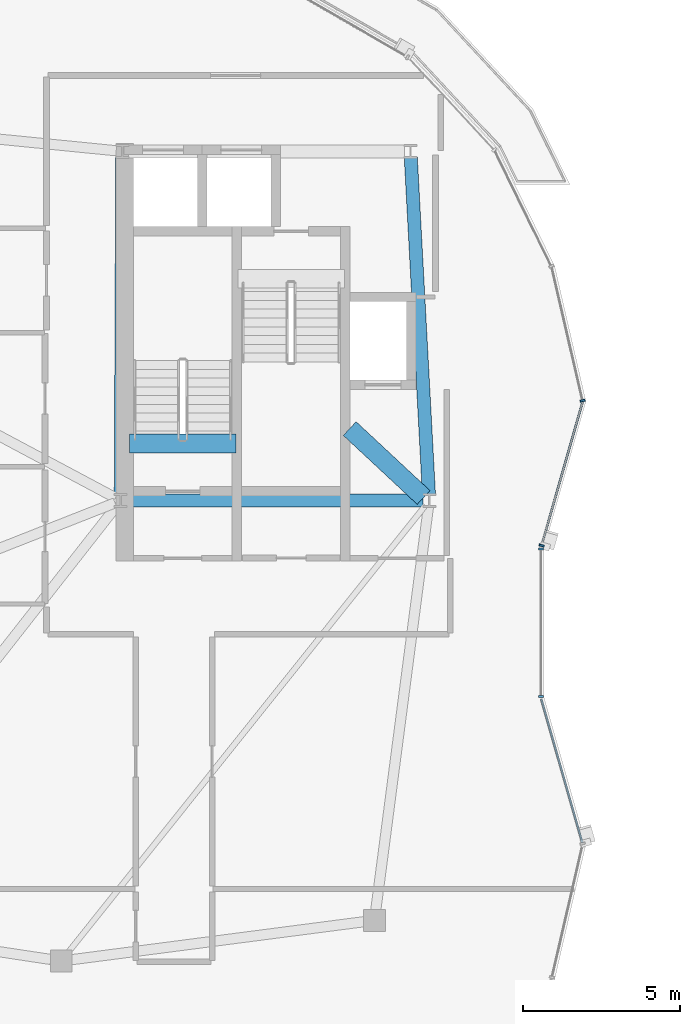
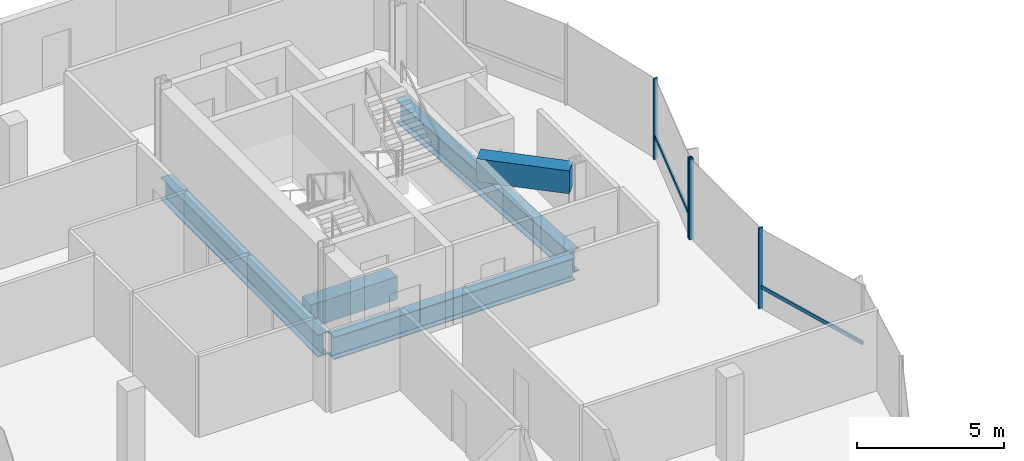
# One storey, part 4 of 20: 6 members, 5 beams, 2 elements without a shape of their own.
"""IFC4 building model written with IfcOpenShell, lengths in metres."""

from ifc_helpers import new_model, si_unit, direction, frame, origin, origin_2d, place, context, subcontext, project, spatial, rectangle, i_section, extrude, material, material_profile, profile_set, type_object, element, aggregate, save


model = new_model("IFC4")

# Units and contexts
model_context = context("Model", 3, precision=1e-05, world=origin(), true_north=direction((0.0, 1.0)))
body_context = subcontext(model_context, "Body", "Model", "MODEL_VIEW")
ifc_project = project(units=[si_unit("LENGTHUNIT", "METRE"), si_unit("AREAUNIT", "SQUARE_METRE"), si_unit("VOLUMEUNIT", "CUBIC_METRE"), si_unit("PLANEANGLEUNIT", "RADIAN"), si_unit("MASSUNIT", "GRAM", prefix="KILO"), si_unit("THERMODYNAMICTEMPERATUREUNIT", "KELVIN"), si_unit("POWERUNIT", "WATT")], contexts=[model_context])

# Site, building, storey
site_placement = place(None, origin())
site = spatial("IfcSite", under=ifc_project, at=site_placement, CompositionType="ELEMENT")
building_placement = place(site_placement, origin())
building = spatial("IfcBuilding", under=site, at=building_placement, Name="Cundina Bronze Exchange", CompositionType="ELEMENT")
storey_placement = place(building_placement, frame((0.0, 0.0, 279.199951171875)))
storey = spatial("IfcBuildingStorey", under=building, at=storey_placement, Name="L74", CompositionType="ELEMENT", Elevation=279.199951171875)

# Beams
ifc_material_1 = material(Name="Concrete C60/75", Category="concrete")
ifc_material_profile_1 = material_profile(ifc_material_1, rectangle(XDim=0.60009765625, YDim=0.949951171875, at=origin_2d()), Name="RC600X950", Category="concrete")
ifc_profile_set_1 = profile_set([ifc_material_profile_1], Name="Concrete C60/75")
beam_type_1 = type_object("IfcBeamType", Name="BM-COUP-RC950", PredefinedType="LINTEL", material=ifc_profile_set_1)
beam_1_placement = place(storey_placement, frame((-31.02001953125, 5.719970703125, -0.474853515625), z_axis=(1.0, 0.0, 0.0), x_axis=(0.0, 1.0, 0.0)))
element("IfcBeam", 1, at=beam_1_placement, inside=storey, type_object=beam_type_1, Name="L74 Stair W1 Landing Header Beam", PredefinedType="LINTEL", context=body_context, shape_type="SweptSolid", body=[
    extrude(rectangle(XDim=0.60009765625, YDim=0.949951171875, at=origin_2d()), origin(), (0.0, 0.0, 1.0), 3.39990234375),
])
beam_2_placement = place(storey_placement, frame((-23.989990234375, 6.199951171875, 2.864990234375), z_axis=(0.731490439815, -0.681851696822, 0.0), x_axis=(0.681851696822, 0.731490439815, 0.0)))
element("IfcBeam", 2, at=beam_2_placement, inside=storey, type_object=beam_type_1, Name="L74 W Core Shear Coupling Lintel Beam", PredefinedType="LINTEL", context=body_context, shape_type="SweptSolid", body=[
    extrude(rectangle(XDim=0.60009765625, YDim=0.949951171875, at=origin_2d()), origin(), (0.0, 0.0, 1.0), 3.226318359375),
])
ifc_material_2 = material(Name="Steel ASTM A992 Grade 50", Category="steel")
ifc_material_profile_2 = material_profile(ifc_material_2, i_section(OverallWidth=0.41796875, OverallDepth=0.927001953125, WebThickness=0.019287109375, FlangeThickness=0.031982421875, FilletRadius=0.02392578125, at=origin_2d()), Name="W36X231", Category="steel")
ifc_profile_set_2 = profile_set([ifc_material_profile_2], Name="Steel ASTM A992 Grade 50")
beam_type_2 = type_object("IfcBeamType", Name="BM-WRN-W36B", PredefinedType="USERDEFINED", material=ifc_profile_set_2)
beam_3_placement = place(storey_placement, frame((-31.10400390625, 3.89990234375, -0.723388671875), z_axis=(1.0, 0.0, 0.0), x_axis=(0.0, 1.0, 0.0)))
element("IfcBeam", 3, at=beam_3_placement, inside=storey, type_object=beam_type_2, Name="L74 W Core Perimeter Tie Girder 1", ObjectType="GIRDER", PredefinedType="USERDEFINED", context=body_context, shape_type="SweptSolid", body=[
    extrude(i_section(OverallWidth=0.41796875, OverallDepth=0.927001953125, WebThickness=0.019287109375, FlangeThickness=0.031982421875, FilletRadius=0.02392578125, at=origin_2d()), origin(), (0.0, 0.0, 1.0), 9.4580078125),
])
beam_4_placement = place(storey_placement, frame((-21.46044921875, 4.095703125, -0.723388671875), z_axis=(-0.053749317644, 0.998554460634, 0.0), x_axis=(-0.998554460634, -0.053749317644, 0.0)))
element("IfcBeam", 4, at=beam_4_placement, inside=storey, type_object=beam_type_2, Name="L74 W Core Perimeter Tie Girder 2", ObjectType="GIRDER", PredefinedType="USERDEFINED", context=body_context, shape_type="SweptSolid", body=[
    extrude(i_section(OverallWidth=0.41796875, OverallDepth=0.927001953125, WebThickness=0.019287109375, FlangeThickness=0.031982421875, FilletRadius=0.02392578125, at=origin_2d()), origin(), (0.0, 0.0, 1.0), 10.774169921875),
])
beam_5_placement = place(storey_placement, frame((-31.2509765625, 14.85400390625, -0.723388671875), z_axis=(-0.004470623654, -0.999990006712, 0.0), x_axis=(0.999990006712, -0.004470623654, 0.0)))
element("IfcBeam", 5, at=beam_5_placement, inside=storey, type_object=beam_type_2, Name="L74 W Core Perimeter Tie Girder 4", ObjectType="GIRDER", PredefinedType="USERDEFINED", context=body_context, shape_type="SweptSolid", body=[
    extrude(i_section(OverallWidth=0.41796875, OverallDepth=0.927001953125, WebThickness=0.019287109375, FlangeThickness=0.031982421875, FilletRadius=0.02392578125, at=origin_2d()), origin(), (0.0, 0.0, 1.0), 10.758056640625),
])

# Curtain wall, members
ifc_material_3 = material(Name="Anodised Bronze Aluminium 6063-T6", Category="aluminium")
curtain_wall_type = type_object("IfcCurtainWallType", Name="CWS-CRN-TMD", PredefinedType="NOTDEFINED", material=ifc_material_3)
curtain_wall_1_placement = place(storey_placement, origin())
curtain_wall_1 = element("IfcCurtainWall", 6, at=curtain_wall_1_placement, inside=storey, type_object=curtain_wall_type, Name="L74 CW-07 Curtain Wall Run CWR-L74-W1", PredefinedType="NOTDEFINED")
ifc_material_profile_3 = material_profile(ifc_material_3, rectangle(XDim=0.06494140625, YDim=0.159912109375, at=origin_2d()), Name="AL65X160", Category="aluminium")
ifc_profile_set_3 = profile_set([ifc_material_profile_3], Name="Anodised Bronze Aluminium 6063-T6")
member_type_1 = type_object("IfcMemberType", Name="CWM-MUL-160", PredefinedType="MULLION", material=ifc_profile_set_3)
member_1_placement = place(storey_placement, frame((-17.86376953125, 2.46728515625, 0.0), z_axis=(0.0, 0.0, 1.0), x_axis=(0.274630573972, 0.961549815579, 0.0)))
member_1 = element("IfcMember", 7, at=member_1_placement, type_object=member_type_1, Name="CW-07 Mullion 1", PredefinedType="MULLION", context=body_context, shape_type="SweptSolid", body=[
    extrude(rectangle(XDim=0.06494140625, YDim=0.159912109375, at=origin_2d()), origin(), (0.0, 0.0, 1.0), 3.340087890625),
])
member_2_placement = place(storey_placement, frame((-16.5537109375, 7.08984375, 0.0), z_axis=(0.0, 0.0, 1.0), x_axis=(-0.225291159947, 0.974291482694, 0.0)))
member_2 = element("IfcMember", 8, at=member_2_placement, type_object=member_type_1, Name="CW-07 Mullion 2", PredefinedType="MULLION", context=body_context, shape_type="SweptSolid", body=[
    extrude(rectangle(XDim=0.06494140625, YDim=0.159912109375, at=origin_2d()), origin(), (0.0, 0.0, 1.0), 3.340087890625),
])

curtain_wall_2_placement = place(storey_placement, origin())
curtain_wall_2 = element("IfcCurtainWall", 9, at=curtain_wall_2_placement, inside=storey, type_object=curtain_wall_type, Name="L74 CW-07 Curtain Wall Run CWR-L74-W4", PredefinedType="NOTDEFINED")
member_3_placement = place(storey_placement, frame((-17.8798828125, -2.3505859375, 0.0), z_axis=(0.0, 0.0, 1.0), x_axis=(0.0, 1.0, 0.0)))
member_3 = element("IfcMember", 10, at=member_3_placement, type_object=member_type_1, Name="CW-07 Mullion 6", PredefinedType="MULLION", context=body_context, shape_type="SweptSolid", body=[
    extrude(rectangle(XDim=0.06494140625, YDim=0.159912109375, at=origin_2d()), origin(), (0.0, 0.0, 1.0), 3.340087890625),
])
member_4_placement = place(storey_placement, frame((-17.8798828125, 2.3505859375, 0.0), z_axis=(0.0, 0.0, 1.0), x_axis=(0.0, 1.0, 0.0)))
member_4 = element("IfcMember", 11, at=member_4_placement, type_object=member_type_1, Name="CW-07 End Mullion", PredefinedType="MULLION", context=body_context, shape_type="SweptSolid", body=[
    extrude(rectangle(XDim=0.06494140625, YDim=0.159912109375, at=origin_2d()), origin(), (0.0, 0.0, 1.0), 3.340087890625),
])

# Member
ifc_material_profile_4 = material_profile(ifc_material_3, rectangle(XDim=0.06494140625, YDim=0.14990234375, at=origin_2d()), Name="AL65X150", Category="aluminium")
ifc_profile_set_4 = profile_set([ifc_material_profile_4], Name="Anodised Bronze Aluminium 6063-T6")
member_type_2 = type_object("IfcMemberType", Name="CWM-TRN-150", PredefinedType="USERDEFINED", material=ifc_profile_set_4)
member_5_placement = place(storey_placement, frame((-17.853759765625, 2.501708984375, 0.920166015625), z_axis=(0.274524986667, 0.961579966355, 0.0), x_axis=(-0.961579966355, 0.274524986667, 0.0)))
member_5 = element("IfcMember", 12, at=member_5_placement, type_object=member_type_2, Name="CW-07 Spandrel Transom 1", ObjectType="TRANSOM", PredefinedType="USERDEFINED", context=body_context, shape_type="SweptSolid", body=[
    extrude(rectangle(XDim=0.06494140625, YDim=0.14990234375, at=origin_2d()), origin(), (0.0, 0.0, 1.0), 4.767578125),
])

aggregate(curtain_wall_1, [member_1, member_5, member_2])

member_6_placement = place(storey_placement, frame((-16.564453125, -7.017333984375, 0.920166015625), z_axis=(-0.27457233424, 0.961566447662, 0.0), x_axis=(-0.961566447662, -0.27457233424, 0.0)))
member_6 = element("IfcMember", 13, at=member_6_placement, type_object=member_type_2, Name="CW-07 Spandrel Transom 5", ObjectType="TRANSOM", PredefinedType="USERDEFINED", context=body_context, shape_type="SweptSolid", body=[
    extrude(rectangle(XDim=0.06494140625, YDim=0.14990234375, at=origin_2d()), origin(), (0.0, 0.0, 1.0), 4.767822265625),
])

aggregate(curtain_wall_2, [member_6, member_3, member_4])

save(model, "model.ifc")
